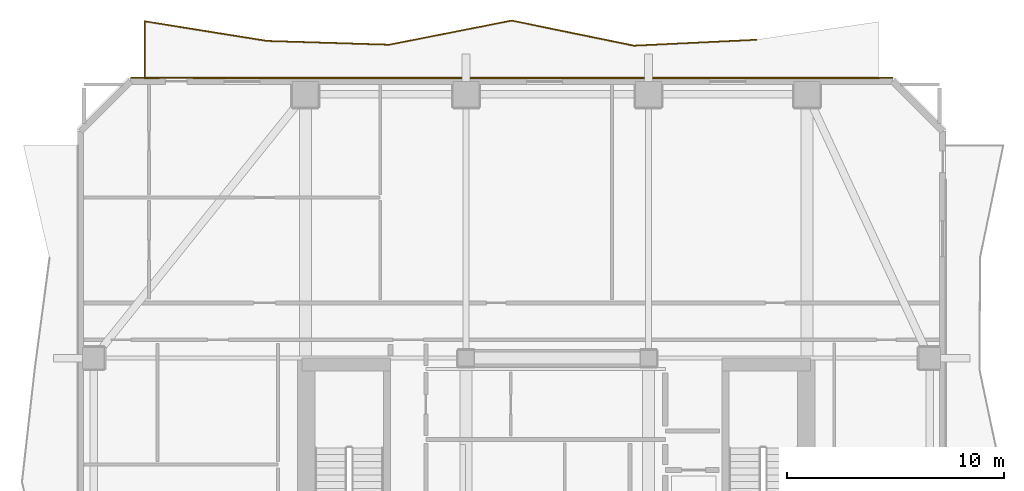
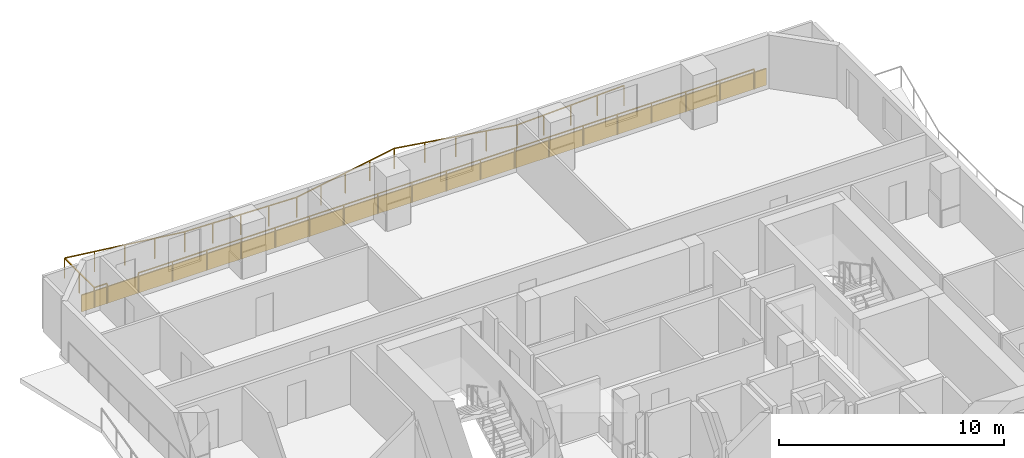
# One storey, part 10 of 10: 2 railings, 1 covering.
"""IFC4 building model written with IfcOpenShell, lengths in metres."""

from ifc_helpers import new_model, si_unit, direction, frame, frame_2d, origin, origin_2d, place, context, subcontext, project, spatial, rectangle, extrude, material, layer, layer_set, type_object, element, save


model = new_model("IFC4")

# Units and contexts
model_context = context("Model", 3, precision=1e-05, world=origin(), true_north=direction((0.0, 1.0)))
body_context = subcontext(model_context, "Body", "Model", "MODEL_VIEW")
ifc_project = project(units=[si_unit("LENGTHUNIT", "METRE"), si_unit("AREAUNIT", "SQUARE_METRE"), si_unit("VOLUMEUNIT", "CUBIC_METRE"), si_unit("PLANEANGLEUNIT", "RADIAN"), si_unit("MASSUNIT", "GRAM", prefix="KILO")], contexts=[model_context])

# Site, building, storey
site_placement = place(None, origin())
site = spatial("IfcSite", under=ifc_project, at=site_placement, CompositionType="ELEMENT")
building_placement = place(site_placement, origin())
building = spatial("IfcBuilding", under=site, at=building_placement, Name="Solanera Arch Residences", CompositionType="ELEMENT")
storey_placement = place(building_placement, frame((0.0, 0.0, 186.840087890625)))
storey = spatial("IfcBuildingStorey", under=building, at=storey_placement, Name="L54", CompositionType="ELEMENT", Elevation=186.840087890625)

# Railings
ifc_material_1 = material(Name="Steel S355 (ASTM A992 / A572 Grade 50)", Category="steel")
railing_type = type_object("IfcRailingType", Name="Balustrade Railing BL-1100", PredefinedType="BALUSTRADE", material=ifc_material_1)
railing_1_placement = place(storey_placement, frame((34.1669921875, 54.06494140625, 0.0)))
element("IfcRailing", 1, at=railing_1_placement, inside=storey, type_object=railing_type, Name="L54 N Balcony Balustrade 1", PredefinedType="BALUSTRADE", context=body_context, shape_type="SweptSolid", body=[
    extrude(rectangle(XDim=0.048095703125, YDim=0.048095703125, at=origin_2d()), frame((0.0, 0.0, 1.09619140625), z_axis=(-0.998836882826, -0.048217025067, 0.0), x_axis=(0.048217025067, -0.998836882826, 0.0)), (0.0, 0.0, 1.0), 5.640625),
    extrude(rectangle(XDim=0.048095703125, YDim=0.048095703125, at=origin_2d()), frame((-5.634033203125, -0.27197265625, 1.09619140625), z_axis=(-0.979585339616, 0.201028760156, 0.0), x_axis=(-0.201028760156, -0.979585339616, 0.0)), (0.0, 0.0, 1.0), 5.75048828125),
    extrude(rectangle(XDim=0.048095703125, YDim=0.048095703125, at=origin_2d()), frame((-11.26708984375, 0.884033203125, 1.09619140625), z_axis=(-0.981095705353, -0.193523168995, 0.0), x_axis=(0.193523168995, -0.981095705353, 0.0)), (0.0, 0.0, 1.0), 5.741455078125),
    extrude(rectangle(XDim=0.048095703125, YDim=0.048095703125, at=origin_2d()), frame((-16.89990234375, -0.22705078125, 1.09619140625), z_axis=(-0.999523042626, 0.030881827334, 0.0), x_axis=(-0.030881827334, -0.999523042626, 0.0)), (0.0, 0.0, 1.0), 5.63671875),
    extrude(rectangle(XDim=0.048095703125, YDim=0.048095703125, at=origin_2d()), frame((-22.533935546875, -0.052978515625, 1.09619140625), z_axis=(-0.987391715114, 0.158295928323, 0.0), x_axis=(-0.158295928323, -0.987391715114, 0.0)), (0.0, 0.0, 1.0), 5.705078125),
    extrude(rectangle(XDim=0.048095703125, YDim=0.048095703125, at=origin_2d()), frame((-28.1669921875, 0.85009765625, 1.09619140625), z_axis=(0.0, -1.0, 0.0), x_axis=(1.0, 0.0, 0.0)), (0.0, 0.0, 1.0), 2.635009765625),
    extrude(rectangle(XDim=0.048095703125, YDim=0.048095703125, at=origin_2d()), frame((-28.1669921875, -1.784912109375, 1.09619140625), z_axis=(1.0, 0.0, 0.0), x_axis=(0.0, 1.0, 0.0)), (0.0, 0.0, 1.0), 0.659912109375),
    extrude(rectangle(XDim=0.0419921875, YDim=0.0419921875, at=origin_2d()), origin(), (0.0, 0.0, 1.0), 1.072021484375),
    extrude(rectangle(XDim=0.0419921875, YDim=0.0419921875, at=origin_2d()), frame((-1.408447265625, -0.06787109375, 0.0)), (0.0, 0.0, 1.0), 1.072021484375),
    extrude(rectangle(XDim=0.0419921875, YDim=0.0419921875, at=origin_2d()), frame((-2.81689453125, -0.135986328125, 0.0)), (0.0, 0.0, 1.0), 1.072021484375),
    extrude(rectangle(XDim=0.0419921875, YDim=0.0419921875, at=origin_2d()), frame((-4.2255859375, -0.2041015625, 0.0)), (0.0, 0.0, 1.0), 1.072021484375),
    extrude(rectangle(XDim=0.0419921875, YDim=0.0419921875, at=origin_2d()), frame((-5.634033203125, -0.27197265625, 0.0)), (0.0, 0.0, 1.0), 1.072021484375),
    extrude(rectangle(XDim=0.0419921875, YDim=0.0419921875, at=origin_2d()), frame((-7.042236328125, 0.01708984375, 0.0)), (0.0, 0.0, 1.0), 1.072021484375),
    extrude(rectangle(XDim=0.0419921875, YDim=0.0419921875, at=origin_2d()), frame((-8.45068359375, 0.30615234375, 0.0)), (0.0, 0.0, 1.0), 1.072021484375),
    extrude(rectangle(XDim=0.0419921875, YDim=0.0419921875, at=origin_2d()), frame((-9.85888671875, 0.594970703125, 0.0)), (0.0, 0.0, 1.0), 1.072021484375),
    extrude(rectangle(XDim=0.0419921875, YDim=0.0419921875, at=origin_2d()), frame((-11.26708984375, 0.884033203125, 0.0)), (0.0, 0.0, 1.0), 1.072021484375),
    extrude(rectangle(XDim=0.0419921875, YDim=0.0419921875, at=origin_2d()), frame((-12.67529296875, 0.606201171875, 0.0)), (0.0, 0.0, 1.0), 1.072021484375),
    extrude(rectangle(XDim=0.0419921875, YDim=0.0419921875, at=origin_2d()), frame((-14.08349609375, 0.32861328125, 0.0)), (0.0, 0.0, 1.0), 1.072021484375),
    extrude(rectangle(XDim=0.0419921875, YDim=0.0419921875, at=origin_2d()), frame((-15.49169921875, 0.05078125, 0.0)), (0.0, 0.0, 1.0), 1.072021484375),
    extrude(rectangle(XDim=0.0419921875, YDim=0.0419921875, at=origin_2d()), frame((-16.89990234375, -0.22705078125, 0.0)), (0.0, 0.0, 1.0), 1.072021484375),
    extrude(rectangle(XDim=0.0419921875, YDim=0.0419921875, at=origin_2d()), frame((-18.308349609375, -0.18359375, 0.0)), (0.0, 0.0, 1.0), 1.072021484375),
    extrude(rectangle(XDim=0.0419921875, YDim=0.0419921875, at=origin_2d()), frame((-19.716796875, -0.14013671875, 0.0)), (0.0, 0.0, 1.0), 1.072021484375),
    extrude(rectangle(XDim=0.0419921875, YDim=0.0419921875, at=origin_2d()), frame((-21.12548828125, -0.096435546875, 0.0)), (0.0, 0.0, 1.0), 1.072021484375),
    extrude(rectangle(XDim=0.0419921875, YDim=0.0419921875, at=origin_2d()), frame((-22.533935546875, -0.052978515625, 0.0)), (0.0, 0.0, 1.0), 1.072021484375),
    extrude(rectangle(XDim=0.0419921875, YDim=0.0419921875, at=origin_2d()), frame((-23.942138671875, 0.1728515625, 0.0)), (0.0, 0.0, 1.0), 1.072021484375),
    extrude(rectangle(XDim=0.0419921875, YDim=0.0419921875, at=origin_2d()), frame((-25.3505859375, 0.3984375, 0.0)), (0.0, 0.0, 1.0), 1.072021484375),
    extrude(rectangle(XDim=0.0419921875, YDim=0.0419921875, at=origin_2d()), frame((-26.7587890625, 0.624267578125, 0.0)), (0.0, 0.0, 1.0), 1.072021484375),
    extrude(rectangle(XDim=0.0419921875, YDim=0.0419921875, at=origin_2d()), frame((-28.1669921875, 0.85009765625, 0.0)), (0.0, 0.0, 1.0), 1.072021484375),
    extrude(rectangle(XDim=0.0419921875, YDim=0.0419921875, at=origin_2d()), frame((-28.1669921875, -0.46728515625, 0.0)), (0.0, 0.0, 1.0), 1.072021484375),
    extrude(rectangle(XDim=0.0419921875, YDim=0.0419921875, at=origin_2d()), frame((-28.1669921875, -1.784912109375, 0.0)), (0.0, 0.0, 1.0), 1.072021484375),
    extrude(rectangle(XDim=0.0419921875, YDim=0.0419921875, at=origin_2d()), frame((-27.507080078125, -1.784912109375, 0.0)), (0.0, 0.0, 1.0), 1.072021484375),
])
railing_2_placement = place(storey_placement, frame((8.260009765625, 52.280029296875, 0.0)))
element("IfcRailing", 2, at=railing_2_placement, inside=storey, type_object=railing_type, Name="L54 N Balcony Balustrade 2", PredefinedType="BALUSTRADE", context=body_context, shape_type="SweptSolid", body=[
    extrude(rectangle(XDim=0.048095703125, YDim=0.048095703125, at=origin_2d()), frame((0.0, 0.0, 1.09619140625), z_axis=(1.0, 0.0, 0.0), x_axis=(0.0, 1.0, 0.0)), (0.0, 0.0, 1.0), 31.5400390625),
    extrude(rectangle(XDim=0.0419921875, YDim=0.0419921875, at=origin_2d()), origin(), (0.0, 0.0, 1.0), 1.072021484375),
    extrude(rectangle(XDim=0.0419921875, YDim=0.0419921875, at=origin_2d()), frame((1.752197265625, 0.0, 0.0)), (0.0, 0.0, 1.0), 1.072021484375),
    extrude(rectangle(XDim=0.0419921875, YDim=0.0419921875, at=origin_2d()), frame((3.50439453125, 0.0, 0.0)), (0.0, 0.0, 1.0), 1.072021484375),
    extrude(rectangle(XDim=0.0419921875, YDim=0.0419921875, at=origin_2d()), frame((5.256591796875, 0.0, 0.0)), (0.0, 0.0, 1.0), 1.072021484375),
    extrude(rectangle(XDim=0.0419921875, YDim=0.0419921875, at=origin_2d()), frame((7.0087890625, 0.0, 0.0)), (0.0, 0.0, 1.0), 1.072021484375),
    extrude(rectangle(XDim=0.0419921875, YDim=0.0419921875, at=origin_2d()), frame((8.76123046875, 0.0, 0.0)), (0.0, 0.0, 1.0), 1.072021484375),
    extrude(rectangle(XDim=0.0419921875, YDim=0.0419921875, at=origin_2d()), frame((10.513427734375, 0.0, 0.0)), (0.0, 0.0, 1.0), 1.072021484375),
    extrude(rectangle(XDim=0.0419921875, YDim=0.0419921875, at=origin_2d()), frame((12.265625, 0.0, 0.0)), (0.0, 0.0, 1.0), 1.072021484375),
    extrude(rectangle(XDim=0.0419921875, YDim=0.0419921875, at=origin_2d()), frame((14.017822265625, 0.0, 0.0)), (0.0, 0.0, 1.0), 1.072021484375),
    extrude(rectangle(XDim=0.0419921875, YDim=0.0419921875, at=origin_2d()), frame((15.77001953125, 0.0, 0.0)), (0.0, 0.0, 1.0), 1.072021484375),
    extrude(rectangle(XDim=0.0419921875, YDim=0.0419921875, at=origin_2d()), frame((17.522216796875, 0.0, 0.0)), (0.0, 0.0, 1.0), 1.072021484375),
    extrude(rectangle(XDim=0.0419921875, YDim=0.0419921875, at=origin_2d()), frame((19.2744140625, 0.0, 0.0)), (0.0, 0.0, 1.0), 1.072021484375),
    extrude(rectangle(XDim=0.0419921875, YDim=0.0419921875, at=origin_2d()), frame((21.026611328125, 0.0, 0.0)), (0.0, 0.0, 1.0), 1.072021484375),
    extrude(rectangle(XDim=0.0419921875, YDim=0.0419921875, at=origin_2d()), frame((22.77880859375, 0.0, 0.0)), (0.0, 0.0, 1.0), 1.072021484375),
    extrude(rectangle(XDim=0.0419921875, YDim=0.0419921875, at=origin_2d()), frame((24.53125, 0.0, 0.0)), (0.0, 0.0, 1.0), 1.072021484375),
    extrude(rectangle(XDim=0.0419921875, YDim=0.0419921875, at=origin_2d()), frame((26.283447265625, 0.0, 0.0)), (0.0, 0.0, 1.0), 1.072021484375),
    extrude(rectangle(XDim=0.0419921875, YDim=0.0419921875, at=origin_2d()), frame((28.03564453125, 0.0, 0.0)), (0.0, 0.0, 1.0), 1.072021484375),
    extrude(rectangle(XDim=0.0419921875, YDim=0.0419921875, at=origin_2d()), frame((29.787841796875, 0.0, 0.0)), (0.0, 0.0, 1.0), 1.072021484375),
    extrude(rectangle(XDim=0.0419921875, YDim=0.0419921875, at=origin_2d()), frame((31.5400390625, 0.0, 0.0)), (0.0, 0.0, 1.0), 1.072021484375),
])

# Covering
ifc_material_2 = material(Name="Philippine Adobe Travertine Cladding", Category="masonry")
ifc_layer = layer(ifc_material_2, 0.06005859375)
ifc_layer_set = layer_set([ifc_layer], Name="Philippine Adobe Travertine Cladding")
covering_type = type_object("IfcCoveringType", Name="Precast Pier Stone Cladding CLD-60", PredefinedType="CLADDING", material=ifc_layer_set)
covering_placement = place(storey_placement, frame((5.35498046875, 52.31494140625, 0.0), z_axis=(0.0, 0.0, 1.0), x_axis=(1.0, 0.0, 0.0)))
element("IfcCovering", 3, at=covering_placement, inside=storey, type_object=covering_type, Name="L54 N Precast Spandrel Stone Band", PredefinedType="CLADDING", context=body_context, shape_type="SweptSolid", body=[
    extrude(rectangle(XDim=35.090087890625, YDim=0.06005859375, at=frame_2d((17.544921875, 0.0))), origin(), (0.0, 0.0, 1.0), 0.89990234375),
])

save(model, "model.ifc")
